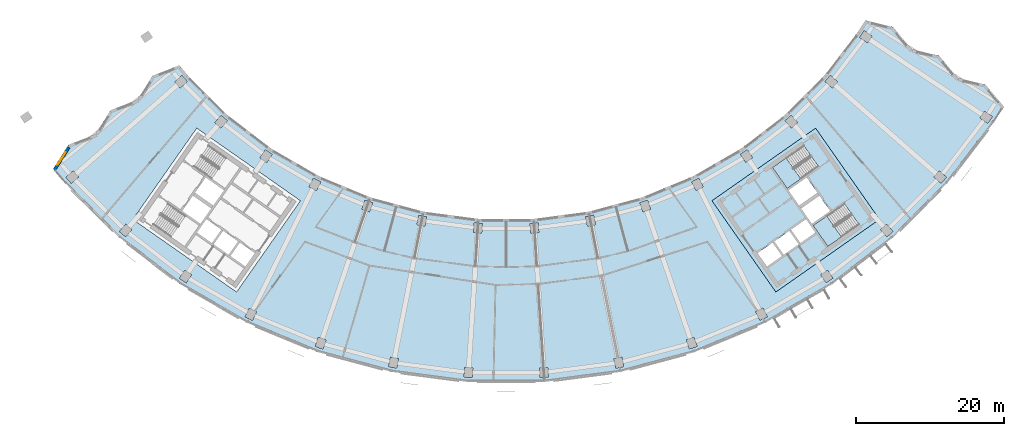
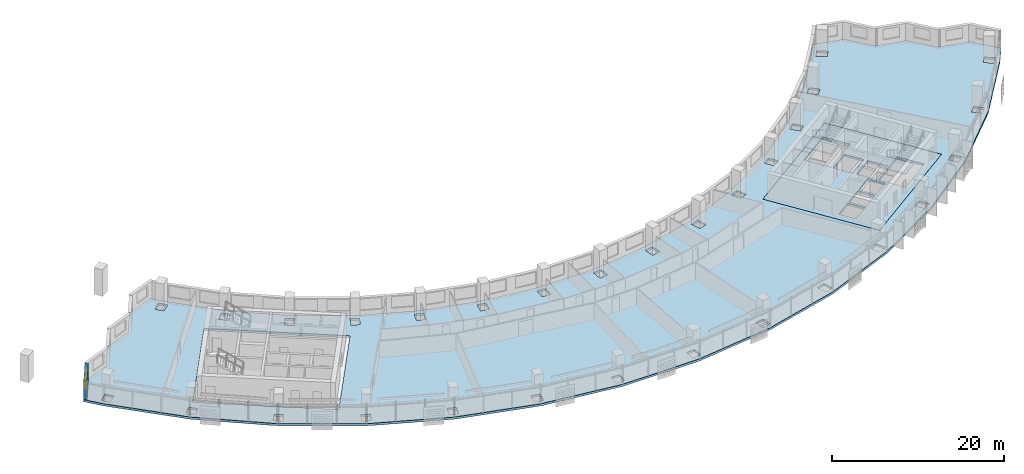
# One storey, part 2 of 26: 4 slabs, 1 wall, 1 window, 1 opening, 2 elements without a shape of their own.
"""IFC4 building model written with IfcOpenShell, lengths in metres."""

from ifc_helpers import new_model, si_unit, direction, frame, frame_2d, origin, place, context, subcontext, project, spatial, polyline, rectangle, outline, extrude, material, layer, layer_set, type_object, element, fill, aggregate, save


model = new_model("IFC4")

# Units and contexts
model_context = context("Model", 3, precision=1e-05, world=origin(), true_north=direction((0.0, 1.0)))
body_context = subcontext(model_context, "Body", "Model", "MODEL_VIEW")
ifc_project = project(units=[si_unit("LENGTHUNIT", "METRE"), si_unit("AREAUNIT", "SQUARE_METRE"), si_unit("VOLUMEUNIT", "CUBIC_METRE"), si_unit("PLANEANGLEUNIT", "RADIAN"), si_unit("MASSUNIT", "GRAM", prefix="KILO")], contexts=[model_context])

# Site, building, storey
site_placement = place(None, origin())
site = spatial("IfcSite", under=ifc_project, at=site_placement, CompositionType="ELEMENT")
building_placement = place(site_placement, origin())
building = spatial("IfcBuilding", under=site, at=building_placement, Name="Qamariyya Broadcast Tower", CompositionType="ELEMENT")
storey_placement = place(building_placement, frame((0.0, 0.0, 168.300048828125)))
storey = spatial("IfcBuildingStorey", under=building, at=storey_placement, Name="L39", CompositionType="ELEMENT", Elevation=168.300048828125)

# Slabs
ifc_material_1 = material(Name="Concrete C40/50", Category="concrete")
ifc_layer_1 = layer(ifc_material_1, 0.300048828125)
ifc_layer_set_1 = layer_set([ifc_layer_1], Name="Core floor slab 300 mm Concrete C40/50")
slab_type_1 = type_object("IfcSlabType", Name="Core floor slab 300 mm Concrete C40/50", PredefinedType="FLOOR", material=ifc_layer_set_1)
slab_1_placement = place(storey_placement, frame((0.0, 0.0, -0.300048828125)))
element("IfcSlab", 1, at=slab_1_placement, inside=storey, type_object=slab_type_1, Name="k-E-L39-slab", PredefinedType="FLOOR", context=body_context, shape_type="SweptSolid", body=[
    extrude(outline(polyline([(36.32373046875, -66.734375), (50.286376953125, -56.95751953125), (41.6826171875, -44.67041015625), (27.719970703125, -54.447021484375), (36.32373046875, -66.734375)]), holes=[polyline([(33.87353515625, -61.49169921875), (35.88037109375, -60.08642578125), (37.142333984375, -61.888427734375), (35.13525390625, -63.293701171875), (33.87353515625, -61.49169921875)]), polyline([(36.126220703125, -59.914306640625), (38.133056640625, -58.509033203125), (39.394775390625, -60.311279296875), (37.387939453125, -61.716552734375), (36.126220703125, -59.914306640625)]), polyline([(38.378662109375, -58.3369140625), (40.3857421875, -56.931640625), (41.6474609375, -58.73388671875), (39.640625, -60.13916015625), (38.378662109375, -58.3369140625)]), polyline([(39.742431640625, -55.489990234375), (42.199951171875, -53.769287109375), (43.6337890625, -55.817138671875), (41.17626953125, -57.537841796875), (39.742431640625, -55.489990234375)]), polyline([(39.45556640625, -55.080322265625), (41.9130859375, -53.359619140625), (40.47900390625, -51.311767578125), (38.021728515625, -53.032470703125), (39.45556640625, -55.080322265625)]), polyline([(40.082275390625, -47.01171875), (35.870849609375, -49.960693359375), (37.849609375, -52.78662109375), (42.06103515625, -49.837890625), (40.082275390625, -47.01171875)]), polyline([(45.559814453125, -54.834716796875), (41.348388671875, -57.783447265625), (43.3271484375, -60.609619140625), (47.538818359375, -57.66064453125), (45.559814453125, -54.834716796875)])]), origin(), (0.0, 0.0, 1.0), 0.300048828125),
])
ifc_layer_2 = layer(ifc_material_1, 0.300048828125)
ifc_layer_set_2 = layer_set([ifc_layer_2], Name="Post-tensioned floor slab 300 C40/50")
slab_type_2 = type_object("IfcSlabType", Name="Post-tensioned floor slab 300 C40/50", PredefinedType="FLOOR", material=ifc_layer_set_2)
slab_2_placement = place(storey_placement, frame((0.0, 0.0, -0.300048828125)))
element("IfcSlab", 2, at=slab_2_placement, inside=storey, type_object=slab_type_2, Name="Floor slab S4 L39", PredefinedType="FLOOR", context=body_context, shape_type="SweptSolid", body=[
    extrude(outline(polyline([(-58.9521484375, -46.901611328125), (-61.030029296875, -50.162841796875), (-59.395263671875, -52.08837890625), (-52.08837890625, -59.395263671875), (-43.89013671875, -65.68603515625), (-34.94091796875, -70.85302734375), (-25.393798828125, -74.807373046875), (-15.412109375, -77.48193359375), (-5.166748046875, -78.830810546875), (5.166748046875, -78.830810546875), (15.412109375, -77.48193359375), (25.393798828125, -74.807373046875), (34.94091796875, -70.85302734375), (43.89013671875, -65.68603515625), (52.08837890625, -59.395263671875), (59.395263671875, -52.08837890625), (65.68603515625, -43.89013671875), (67.0556640625, -41.767822265625), (64.569580078125, -38.8056640625), (60.8310546875, -37.890625), (58.34423828125, -34.927978515625), (54.6064453125, -34.013427734375), (52.118408203125, -31.050048828125), (48.3818359375, -30.13623046875), (47.393798828125, -31.66748046875), (42.85498046875, -37.582763671875), (37.582763671875, -42.85498046875), (31.66748046875, -47.393798828125), (25.21044921875, -51.121826171875), (18.322021484375, -53.97509765625), (11.1201171875, -55.90478515625), (3.72802734375, -56.8779296875), (-3.72802734375, -56.8779296875), (-11.1201171875, -55.90478515625), (-18.322021484375, -53.97509765625), (-25.21044921875, -51.121826171875), (-31.66748046875, -47.393798828125), (-37.582763671875, -42.85498046875), (-42.85498046875, -37.582763671875), (-44.034423828125, -36.193603515625), (-47.619873046875, -37.587158203125), (-49.69970703125, -40.85009765625), (-53.2861328125, -42.24462890625), (-55.364990234375, -45.506591796875), (-58.9521484375, -46.901611328125)]), holes=[polyline([(-5.676513671875, -78.1962890625), (-5.59130859375, -76.89892578125), (-4.49365234375, -76.970947265625), (-4.578857421875, -78.26806640625), (-5.676513671875, -78.1962890625)]), polyline([(-15.83447265625, -76.786376953125), (-15.580810546875, -75.51123046875), (-14.501953125, -75.725830078125), (-14.755615234375, -77.0009765625), (-15.83447265625, -76.786376953125)]), polyline([(-25.7216796875, -74.0625), (-25.3037109375, -72.83154296875), (-24.26220703125, -73.18505859375), (-24.679931640625, -74.416015625), (-25.7216796875, -74.0625)]), polyline([(-35.168701171875, -70.071533203125), (-34.59375, -68.905517578125), (-33.607177734375, -69.39208984375), (-34.18212890625, -70.55810546875), (-35.168701171875, -70.071533203125)]), polyline([(-44.013916015625, -64.881591796875), (-43.291748046875, -63.80078125), (-42.377197265625, -64.411865234375), (-43.099365234375, -65.49267578125), (-44.013916015625, -64.881591796875)]), polyline([(-52.106201171875, -58.58154296875), (-51.2490234375, -57.604248046875), (-50.422119140625, -58.32958984375), (-51.279296875, -59.306884765625), (-52.106201171875, -58.58154296875)]), polyline([(-4.401123046875, -58.738037109375), (-4.316162109375, -57.440673828125), (-3.218505859375, -57.5126953125), (-3.303466796875, -58.809814453125), (-4.401123046875, -58.738037109375)]), polyline([(-12.0302734375, -57.660888671875), (-11.776611328125, -56.385986328125), (-10.69775390625, -56.6005859375), (-10.951416015625, -57.87548828125), (-12.0302734375, -57.660888671875)]), polyline([(-50.286376953125, -56.95751953125), (-41.6826171875, -44.67041015625), (-27.719970703125, -54.447021484375), (-36.32373046875, -66.734375), (-50.286376953125, -56.95751953125)]), polyline([(-19.45361328125, -55.597412109375), (-19.03564453125, -54.366455078125), (-17.994140625, -54.719970703125), (-18.411865234375, -55.950927734375), (-19.45361328125, -55.597412109375)]), polyline([(-26.544189453125, -52.58251953125), (-25.968994140625, -51.41650390625), (-24.982666015625, -51.903076171875), (-25.5576171875, -53.069091796875), (-26.544189453125, -52.58251953125)]), polyline([(-59.306884765625, -51.279296875), (-58.32958984375, -50.422119140625), (-57.604248046875, -51.2490234375), (-58.58154296875, -52.106201171875), (-59.306884765625, -51.279296875)]), polyline([(-33.180419921875, -48.66796875), (-32.458251953125, -47.587158203125), (-31.54345703125, -48.1982421875), (-32.265869140625, -49.279052734375), (-33.180419921875, -48.66796875)]), polyline([(-39.2490234375, -43.920654296875), (-38.391845703125, -42.943359375), (-37.564697265625, -43.668701171875), (-38.421875, -44.64599609375), (-39.2490234375, -43.920654296875)]), polyline([(-43.668701171875, -37.564697265625), (-42.943359375, -38.391845703125), (-43.920654296875, -39.2490234375), (-44.64599609375, -38.421875), (-43.668701171875, -37.564697265625)]), polyline([(4.578857421875, -78.26806640625), (4.49365234375, -76.970947265625), (5.59130859375, -76.89892578125), (5.676513671875, -78.1962890625), (4.578857421875, -78.26806640625)]), polyline([(14.755615234375, -77.0009765625), (14.501953125, -75.725830078125), (15.580810546875, -75.51123046875), (15.83447265625, -76.786376953125), (14.755615234375, -77.0009765625)]), polyline([(24.679931640625, -74.416015625), (24.26220703125, -73.18505859375), (25.3037109375, -72.83154296875), (25.7216796875, -74.0625), (24.679931640625, -74.416015625)]), polyline([(34.18212890625, -70.55810546875), (33.607177734375, -69.39208984375), (34.59375, -68.905517578125), (35.168701171875, -70.071533203125), (34.18212890625, -70.55810546875)]), polyline([(43.099365234375, -65.49267578125), (42.377197265625, -64.411865234375), (43.291748046875, -63.80078125), (44.013916015625, -64.881591796875), (43.099365234375, -65.49267578125)]), polyline([(51.279296875, -59.306884765625), (50.422119140625, -58.32958984375), (51.2490234375, -57.604248046875), (52.106201171875, -58.58154296875), (51.279296875, -59.306884765625)]), polyline([(3.303466796875, -58.809814453125), (3.218505859375, -57.5126953125), (4.316162109375, -57.440673828125), (4.401123046875, -58.738037109375), (3.303466796875, -58.809814453125)]), polyline([(10.951416015625, -57.87548828125), (10.69775390625, -56.6005859375), (11.776611328125, -56.385986328125), (12.0302734375, -57.660888671875), (10.951416015625, -57.87548828125)]), polyline([(36.32373046875, -66.734375), (27.719970703125, -54.447021484375), (41.6826171875, -44.67041015625), (50.286376953125, -56.95751953125), (36.32373046875, -66.734375)]), polyline([(18.411865234375, -55.950927734375), (17.994140625, -54.719970703125), (19.03564453125, -54.366455078125), (19.45361328125, -55.597412109375), (18.411865234375, -55.950927734375)]), polyline([(25.5576171875, -53.069091796875), (24.982666015625, -51.903076171875), (25.968994140625, -51.41650390625), (26.544189453125, -52.58251953125), (25.5576171875, -53.069091796875)]), polyline([(58.58154296875, -52.106201171875), (57.604248046875, -51.2490234375), (58.32958984375, -50.422119140625), (59.306884765625, -51.279296875), (58.58154296875, -52.106201171875)]), polyline([(32.265869140625, -49.279052734375), (31.54345703125, -48.1982421875), (32.458251953125, -47.587158203125), (33.180419921875, -48.66796875), (32.265869140625, -49.279052734375)]), polyline([(38.421875, -44.64599609375), (37.564697265625, -43.668701171875), (38.391845703125, -42.943359375), (39.2490234375, -43.920654296875), (38.421875, -44.64599609375)]), polyline([(64.881591796875, -44.013916015625), (63.80078125, -43.291748046875), (64.411865234375, -42.377197265625), (65.49267578125, -43.099365234375), (64.881591796875, -44.013916015625)]), polyline([(42.943359375, -38.391845703125), (43.668701171875, -37.564697265625), (44.64599609375, -38.421875), (43.920654296875, -39.2490234375), (42.943359375, -38.391845703125)]), polyline([(47.587158203125, -32.458251953125), (48.1982421875, -31.54345703125), (49.279052734375, -32.265869140625), (48.66796875, -33.180419921875), (47.587158203125, -32.458251953125)])]), origin(), (0.0, 0.0, 1.0), 0.300048828125),
])

# Stair, slab
ifc_material_2 = material(Name="Concrete C50/60", Category="concrete")
stair_type = type_object("IfcStairType", Name="Exit stair 22 risers of 173 mm", PredefinedType="HALF_TURN_STAIR", material=ifc_material_2)
stair_1_placement = place(storey_placement, origin())
stair_1 = element("IfcStair", 3, at=stair_1_placement, inside=storey, type_object=stair_type, Name="L39 Stair E2", PredefinedType="HALF_TURN_STAIR")
ifc_layer_3 = layer(ifc_material_2, 0.199951171875)
ifc_layer_set_3 = layer_set([ifc_layer_3], Name="Stair landing")
slab_type_3 = type_object("IfcSlabType", Name="Stair landing", PredefinedType="LANDING", material=ifc_layer_set_3)
slab_3_placement = place(storey_placement, frame((0.0, 0.0, 1.699951171875)))
slab_3 = element("IfcSlab", 4, at=slab_3_placement, type_object=slab_type_3, Name="ST-E2 landing 1", PredefinedType="LANDING", context=body_context, shape_type="SweptSolid", body=[
    extrude(outline(polyline([(37.71337890625, -48.67041015625), (35.870849609375, -49.960693359375), (37.849609375, -52.78662109375), (39.692138671875, -51.49658203125), (37.71337890625, -48.67041015625)])), origin(), (0.0, 0.0, 1.0), 0.199951171875),
])
aggregate(stair_1, [slab_3])

stair_2_placement = place(storey_placement, origin())
stair_2 = element("IfcStair", 5, at=stair_2_placement, inside=storey, type_object=stair_type, Name="L39 Stair E1", PredefinedType="HALF_TURN_STAIR")
slab_4_placement = place(storey_placement, frame((0.0, 0.0, 1.699951171875)))
slab_4 = element("IfcSlab", 6, at=slab_4_placement, type_object=slab_type_3, Name="ST-E1 landing 1", PredefinedType="LANDING", context=body_context, shape_type="SweptSolid", body=[
    extrude(outline(polyline([(43.19091796875, -56.493408203125), (41.348388671875, -57.783447265625), (43.3271484375, -60.609619140625), (45.169677734375, -59.319580078125), (43.19091796875, -56.493408203125)])), origin(), (0.0, 0.0, 1.0), 0.199951171875),
])
aggregate(stair_2, [slab_4])

# Wall, opening, window
ifc_material_3 = material(Name="Terracotta", Category="masonry")
ifc_layer_4 = layer(ifc_material_3, 0.39990234375)
ifc_layer_set_4 = layer_set([ifc_layer_4], Name="Terracotta clad wall 400")
wall_type = type_object("IfcWallType", Name="Terracotta clad wall 400", PredefinedType="SOLIDWALL", material=ifc_layer_set_4)
wall_placement = place(storey_placement, frame((-58.933837890625, -47.245361328125, 0.0), z_axis=(0.0, 0.0, 1.0), x_axis=(-0.537399448361, -0.843327832401, 0.0)))
wall = element("IfcWall", 7, at=wall_placement, inside=storey, type_object=wall_type, Name="e-wl-L39-capW5", PredefinedType="SOLIDWALL", context=body_context, shape_type="SweptSolid", body=[
    extrude(rectangle(XDim=3.587158203125, YDim=0.39990234375, at=frame_2d((1.79345703125, 0.0))), origin(), (0.0, 0.0, 1.0), 2.699951171875),
])
opening_placement = place(wall_placement, frame((0.79345703125, 0.0, 0.89990234375)))
opening = element("IfcOpeningElement", 8, at=opening_placement, cuts=wall, Name="Opening W4", PredefinedType="OPENING", context=body_context, shape_type="SweptSolid", body=[
    extrude(rectangle(XDim=2.0, YDim=1.5, at=frame_2d((1.0, 0.75))), frame((0.0, 0.2099609375, 0.0), z_axis=(0.0, -1.0, 0.0), x_axis=(1.0, 0.0, 0.0)), (0.0, 0.0, 1.0), 0.419921875),
])
ifc_material_4 = material(Name="Clear low-e double glazed unit in aluminium frame", Category="aluminium")
window_type = type_object("IfcWindowType", Name="Horn bay window 2000 x 1500", PartitioningType="SINGLE_PANEL", PredefinedType="WINDOW", material=ifc_material_4)
window_placement = place(opening_placement, origin())
window = element("IfcWindow", 9, at=window_placement, inside=storey, type_object=window_type, Name="e-w-L39-capW5", OverallHeight=1.5, OverallWidth=2.0, PartitioningType="SINGLE_PANEL", PredefinedType="WINDOW", context=body_context, shape_type="SweptSolid", body=[
    extrude(rectangle(XDim=2.0, YDim=1.5, at=frame_2d((1.0, 0.75))), frame((0.0, 0.030029296875, 0.0), z_axis=(0.0, -1.0, 0.0), x_axis=(1.0, 0.0, 0.0)), (0.0, 0.0, 1.0), 0.06005859375),
])
fill(opening, window)

save(model, "model.ifc")
